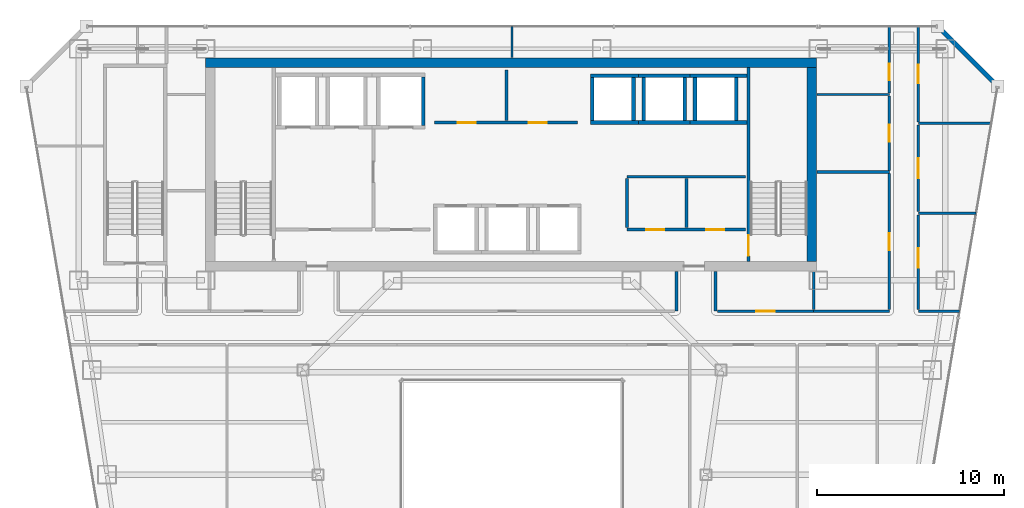
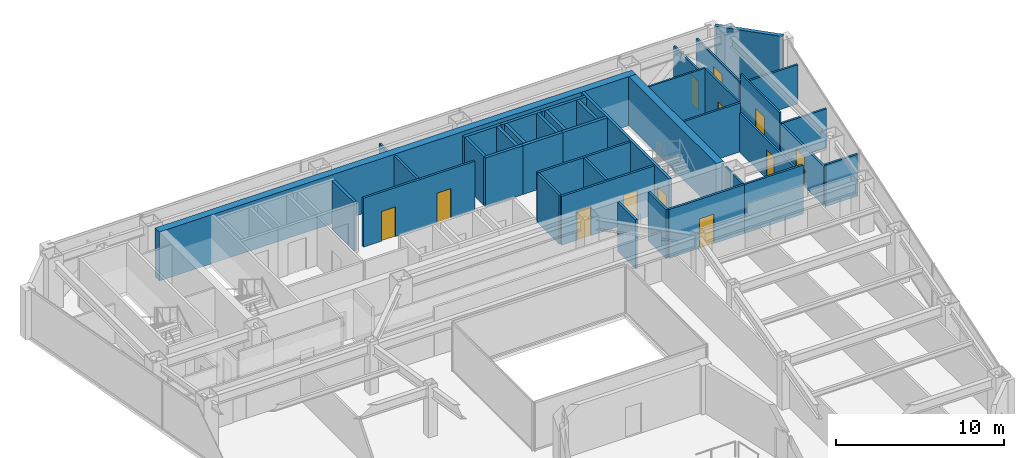
# One storey, part 26 of 31: 40 walls, 12 doors, 12 openings.
"""IFC4 building model written with IfcOpenShell, lengths in metres."""

from ifc_helpers import new_model, si_unit, direction, frame, frame_2d, origin, place, context, subcontext, project, spatial, rectangle, extrude, material, layer, layer_set, type_object, element, fill, save


model = new_model("IFC4")

# Units and contexts
model_context = context("Model", 3, precision=1e-05, world=origin(), true_north=direction((0.0, 1.0)))
body_context = subcontext(model_context, "Body", "Model", "MODEL_VIEW")
ifc_project = project(units=[si_unit("LENGTHUNIT", "METRE"), si_unit("AREAUNIT", "SQUARE_METRE"), si_unit("VOLUMEUNIT", "CUBIC_METRE"), si_unit("PLANEANGLEUNIT", "RADIAN"), si_unit("MASSUNIT", "GRAM", prefix="KILO")], contexts=[model_context])

# Site, building, storey
site_placement = place(None, origin())
site = spatial("IfcSite", under=ifc_project, at=site_placement, CompositionType="ELEMENT")
building_placement = place(site_placement, origin())
building = spatial("IfcBuilding", under=site, at=building_placement, Name="Saevonmaru Cultural Tower", CompositionType="ELEMENT")
storey_placement = place(building_placement, frame((0.0, 0.0, 167.60009765625)))
storey = spatial("IfcBuildingStorey", under=building, at=storey_placement, Name="L37", CompositionType="ELEMENT", Elevation=167.60009765625)

# Walls
ifc_material_1 = material(Name="Concrete C60/75", Category="concrete")
ifc_layer_1 = layer(ifc_material_1, 0.5, Name="Concrete C60/75")
ifc_layer_set_1 = layer_set([ifc_layer_1], Name="Concrete C60/75")
wall_type_1 = type_object("IfcWallType", Name="WL-CORE-500", PredefinedType="SHEAR", material=ifc_layer_set_1)
wall_1_placement = place(storey_placement, frame((13.60009765625, 54.050048828125, 0.0), z_axis=(0.0, 0.0, 1.0), x_axis=(1.0, 0.0, 0.0)))
element("IfcWall", 1, at=wall_1_placement, inside=storey, type_object=wall_type_1, Name="L37 Tower RC core shear wall N", PredefinedType="SHEAR", context=body_context, shape_type="SweptSolid", body=[
    extrude(rectangle(XDim=32.699951171875, YDim=0.5, at=frame_2d((16.35009765625, 0.0))), origin(), (0.0, 0.0, 1.0), 3.5498046875),
])
wall_2_placement = place(storey_placement, frame((46.050048828125, 43.39990234375, 0.0), z_axis=(0.0, 0.0, 1.0), x_axis=(0.0, 1.0, 0.0)))
element("IfcWall", 2, at=wall_2_placement, inside=storey, type_object=wall_type_1, Name="L37 Tower RC core shear wall E", PredefinedType="SHEAR", context=body_context, shape_type="SweptSolid", body=[
    extrude(rectangle(XDim=10.400146484375, YDim=0.5, at=frame_2d((5.2001953125, 0.0))), origin(), (0.0, 0.0, 1.0), 3.5498046875),
])

# Wall, openings, doors
ifc_material_2 = material(Name="Gypsum Fireboard Partition", Category="gypsum")
ifc_layer_2 = layer(ifc_material_2, 0.14990234375, Name="Gypsum Fireboard Partition")
ifc_layer_set_2 = layer_set([ifc_layer_2], Name="Gypsum Fireboard Partition")
wall_type_2 = type_object("IfcWallType", Name="WL-CORE-PART-150", PredefinedType="PARTITIONING", material=ifc_layer_set_2)
wall_3_placement = place(storey_placement, frame((36.14990234375, 45.1201171875, 0.0), z_axis=(0.0, 0.0, 1.0), x_axis=(1.0, 0.0, 0.0)))
wall_3 = element("IfcWall", 3, at=wall_3_placement, inside=storey, type_object=wall_type_2, Name="L37 Core Cluster South Wall", PredefinedType="PARTITIONING", context=body_context, shape_type="SweptSolid", body=[
    extrude(rectangle(XDim=6.35009765625, YDim=0.14990234375, at=frame_2d((3.175048828125, 0.0))), origin(), (0.0, 0.0, 1.0), 3.5498046875),
])
opening_1_placement = place(wall_3_placement, frame((1.050048828125, 0.0, 0.0)))
opening_1 = element("IfcOpeningElement", 4, at=opening_1_placement, cuts=wall_3, Name="Opening FD-4", PredefinedType="OPENING", context=body_context, shape_type="SweptSolid", body=[
    extrude(rectangle(XDim=0.949951171875, YDim=2.14990234375, at=frame_2d((0.47509765625, 1.074951171875))), frame((0.0, 0.0849609375, 0.0), z_axis=(0.0, -1.0, 0.0), x_axis=(1.0, 0.0, 0.0)), (0.0, 0.0, 1.0), 0.169921875),
])
opening_2_placement = place(wall_3_placement, frame((4.25, 0.0, 0.0)))
opening_2 = element("IfcOpeningElement", 5, at=opening_2_placement, cuts=wall_3, Name="Opening FD-4", PredefinedType="OPENING", context=body_context, shape_type="SweptSolid", body=[
    extrude(rectangle(XDim=0.949951171875, YDim=2.14990234375, at=frame_2d((0.47509765625, 1.074951171875))), frame((0.0, 0.0849609375, 0.0), z_axis=(0.0, -1.0, 0.0), x_axis=(1.0, 0.0, 0.0)), (0.0, 0.0, 1.0), 0.169921875),
])
ifc_material_3 = material(Name="Satin Bronze Anodised Aluminium", Category="aluminium")
door_type_1 = type_object("IfcDoorType", Name="DR-FD60-950", OperationType="SINGLE_SWING_LEFT", PredefinedType="DOOR", material=ifc_material_3)
door_1_placement = place(opening_1_placement, origin())
door_1 = element("IfcDoor", 6, at=door_1_placement, inside=storey, type_object=door_type_1, Name="L37 BMS Control Room Door", OperationType="SINGLE_SWING_LEFT", OverallHeight=2.14990234375, OverallWidth=0.949951171875, PredefinedType="DOOR", context=body_context, shape_type="SweptSolid", body=[
    extrude(rectangle(XDim=0.949951171875, YDim=2.14990234375, at=frame_2d((0.47509765625, 1.074951171875))), frame((0.0, 0.02490234375, 0.0), z_axis=(0.0, -1.0, 0.0), x_axis=(1.0, 0.0, 0.0)), (0.0, 0.0, 1.0), 0.050048828125),
])
fill(opening_1, door_1)
door_2_placement = place(opening_2_placement, origin())
door_2 = element("IfcDoor", 7, at=door_2_placement, inside=storey, type_object=door_type_1, Name="L37 Fibre Node Plant Door", OperationType="SINGLE_SWING_LEFT", OverallHeight=2.14990234375, OverallWidth=0.949951171875, PredefinedType="DOOR", context=body_context, shape_type="SweptSolid", body=[
    extrude(rectangle(XDim=0.949951171875, YDim=2.14990234375, at=frame_2d((0.47509765625, 1.074951171875))), frame((0.0, 0.02490234375, 0.0), z_axis=(0.0, -1.0, 0.0), x_axis=(1.0, 0.0, 0.0)), (0.0, 0.0, 1.0), 0.050048828125),
])
fill(opening_2, door_2)

# Walls
wall_4_placement = place(storey_placement, frame((36.14990234375, 47.949951171875, 0.0), z_axis=(0.0, 0.0, 1.0), x_axis=(1.0, 0.0, 0.0)))
element("IfcWall", 8, at=wall_4_placement, inside=storey, type_object=wall_type_2, Name="L37 Core Cluster North Wall", PredefinedType="PARTITIONING", context=body_context, shape_type="SweptSolid", body=[
    extrude(rectangle(XDim=6.35009765625, YDim=0.14990234375, at=frame_2d((3.175048828125, 0.0))), origin(), (0.0, 0.0, 1.0), 3.5498046875),
])
for number, where, z_axis, x_axis, name in (
    (9, (36.14990234375, 45.219970703125, 0.0), (0.0, 0.0, 1.0), (0.0, 1.0, 0.0), "L37 Core Cluster West Wall"),
    (10, (39.35009765625, 45.219970703125, 0.0), (0.0, 0.0, 1.0), (0.0, 1.0, 0.0), "L37 Core Cluster Inner Split"),
):
    element("IfcWall", number, at=place(storey_placement, frame(where, z_axis=z_axis, x_axis=x_axis)), inside=storey, type_object=wall_type_2, Name=name, PredefinedType="PARTITIONING", context=body_context, shape_type="SweptSolid", body=[
        extrude(rectangle(XDim=2.630126953125, YDim=0.14990234375, at=frame_2d((1.31494140625, 0.0))), origin(), (0.0, 0.0, 1.0), 3.5498046875),
    ])

# Wall, openings, doors
wall_5_placement = place(storey_placement, frame((25.85009765625, 50.85009765625, 0.0), z_axis=(0.0, 0.0, 1.0), x_axis=(1.0, 0.0, 0.0)))
wall_5 = element("IfcWall", 11, at=wall_5_placement, inside=storey, type_object=wall_type_2, Name="L37 Reclaimed Core Room South Wall", PredefinedType="PARTITIONING", context=body_context, shape_type="SweptSolid", body=[
    extrude(rectangle(XDim=7.64990234375, YDim=0.14990234375, at=frame_2d((3.824951171875, 0.0))), origin(), (0.0, 0.0, 1.0), 3.5498046875),
])
opening_3_placement = place(wall_5_placement, frame((1.25, 0.0, 0.0)))
opening_3 = element("IfcOpeningElement", 12, at=opening_3_placement, cuts=wall_5, Name="Opening FD-4", PredefinedType="OPENING", context=body_context, shape_type="SweptSolid", body=[
    extrude(rectangle(XDim=0.949951171875, YDim=2.14990234375, at=frame_2d((0.47509765625, 1.074951171875))), frame((0.0, 0.0849609375, 0.0), z_axis=(0.0, -1.0, 0.0), x_axis=(1.0, 0.0, 0.0)), (0.0, 0.0, 1.0), 0.169921875),
])
opening_4_placement = place(wall_5_placement, frame((5.050048828125, 0.0, 0.0)))
opening_4 = element("IfcOpeningElement", 13, at=opening_4_placement, cuts=wall_5, Name="Opening FD-4", PredefinedType="OPENING", context=body_context, shape_type="SweptSolid", body=[
    extrude(rectangle(XDim=0.949951171875, YDim=2.14990234375, at=frame_2d((0.47509765625, 1.074951171875))), frame((0.0, 0.0849609375, 0.0), z_axis=(0.0, -1.0, 0.0), x_axis=(1.0, 0.0, 0.0)), (0.0, 0.0, 1.0), 0.169921875),
])
door_3_placement = place(opening_3_placement, origin())
door_3 = element("IfcDoor", 14, at=door_3_placement, inside=storey, type_object=door_type_1, Name="L37 Reclaimed Archive Vault Door", OperationType="SINGLE_SWING_LEFT", OverallHeight=2.14990234375, OverallWidth=0.949951171875, PredefinedType="DOOR", context=body_context, shape_type="SweptSolid", body=[
    extrude(rectangle(XDim=0.949951171875, YDim=2.14990234375, at=frame_2d((0.47509765625, 1.074951171875))), frame((0.0, 0.02490234375, 0.0), z_axis=(0.0, -1.0, 0.0), x_axis=(1.0, 0.0, 0.0)), (0.0, 0.0, 1.0), 0.050048828125),
])
fill(opening_3, door_3)
door_4_placement = place(opening_4_placement, origin())
door_4 = element("IfcDoor", 15, at=door_4_placement, inside=storey, type_object=door_type_1, Name="L37 Reclaimed Conservation Storage Door", OperationType="SINGLE_SWING_LEFT", OverallHeight=2.14990234375, OverallWidth=0.949951171875, PredefinedType="DOOR", context=body_context, shape_type="SweptSolid", body=[
    extrude(rectangle(XDim=0.949951171875, YDim=2.14990234375, at=frame_2d((0.47509765625, 1.074951171875))), frame((0.0, 0.02490234375, 0.0), z_axis=(0.0, -1.0, 0.0), x_axis=(1.0, 0.0, 0.0)), (0.0, 0.0, 1.0), 0.050048828125),
])
fill(opening_4, door_4)

# Walls
wall_6_placement = place(storey_placement, frame((29.699951171875, 50.949951171875, 0.0), z_axis=(0.0, 0.0, 1.0), x_axis=(0.0, 1.0, 0.0)))
element("IfcWall", 16, at=wall_6_placement, inside=storey, type_object=wall_type_2, Name="L37 Reclaimed Vault Split", PredefinedType="PARTITIONING", context=body_context, shape_type="SweptSolid", body=[
    extrude(rectangle(XDim=2.699951171875, YDim=0.14990234375, at=frame_2d((1.35009765625, 0.0))), origin(), (0.0, 0.0, 1.0), 3.5498046875),
])
ifc_material_4 = material(Name="Granite-Clad Precast Concrete C40/50", Category="masonry")
ifc_layer_3 = layer(ifc_material_4, 0.260009765625, Name="Granite-Clad Precast Concrete C40/50")
ifc_layer_set_3 = layer_set([ifc_layer_3], Name="Granite-Clad Precast Concrete C40/50")
wall_type_3 = type_object("IfcWallType", Name="WL-EXT-SPANDREL-260", PredefinedType="STANDARD", material=ifc_layer_set_3)
wall_7_placement = place(storey_placement, frame((55.886962890625, 52.9130859375, 0.0), z_axis=(0.0, 0.0, 1.0), x_axis=(-0.707106781187, 0.707106781187, 0.0)))
element("IfcWall", 17, at=wall_7_placement, inside=storey, type_object=wall_type_3, Name="L37 Chamfer Corner Spandrel Wall E9", PredefinedType="STANDARD", context=body_context, shape_type="SweptSolid", body=[
    extrude(rectangle(XDim=4.205810546875, YDim=0.260009765625, at=frame_2d((2.10302734375, 0.0))), origin(), (0.0, 0.0, 1.0), 3.5498046875),
])

# Wall, opening, door
ifc_layer_4 = layer(ifc_material_2, 0.14990234375, Name="Gypsum Fireboard Partition")
ifc_layer_set_4 = layer_set([ifc_layer_4], Name="Gypsum Fireboard Partition")
wall_type_4 = type_object("IfcWallType", Name="WL-PART-FIRE-150", PredefinedType="PARTITIONING", material=ifc_layer_set_4)
wall_8_placement = place(storey_placement, frame((51.75, 40.83740234375, 0.0), z_axis=(0.0, 0.0, 1.0), x_axis=(0.0, 1.0, 0.0)))
wall_8 = element("IfcWall", 18, at=wall_8_placement, inside=storey, type_object=wall_type_4, Name="L37 Visual Arts Critique Gallery Corridor Wall", PredefinedType="PARTITIONING", context=body_context, shape_type="SweptSolid", body=[
    extrude(rectangle(XDim=5.0751953125, YDim=0.14990234375, at=frame_2d((2.53759765625, 0.0))), origin(), (0.0, 0.0, 1.0), 2.8349609375),
])
opening_5_placement = place(wall_8_placement, frame((2.23291015625, 0.0, 0.0)))
opening_5 = element("IfcOpeningElement", 19, at=opening_5_placement, cuts=wall_8, Name="Opening ID-1", PredefinedType="OPENING", context=body_context, shape_type="SweptSolid", body=[
    extrude(rectangle(XDim=1.050048828125, YDim=2.14990234375, at=frame_2d((0.52490234375, 1.074951171875))), frame((0.0, 0.0849609375, 0.0), z_axis=(0.0, -1.0, 0.0), x_axis=(1.0, 0.0, 0.0)), (0.0, 0.0, 1.0), 0.169921875),
])
door_type_2 = type_object("IfcDoorType", Name="DR-INT-1050", OperationType="SINGLE_SWING_LEFT", PredefinedType="DOOR", material=ifc_material_3)
door_5_placement = place(opening_5_placement, origin())
door_5 = element("IfcDoor", 20, at=door_5_placement, inside=storey, type_object=door_type_2, Name="L37 Visual Arts Critique Gallery Door", OperationType="SINGLE_SWING_LEFT", OverallHeight=2.14990234375, OverallWidth=1.050048828125, PredefinedType="DOOR", context=body_context, shape_type="SweptSolid", body=[
    extrude(rectangle(XDim=1.050048828125, YDim=2.14990234375, at=frame_2d((0.52490234375, 1.074951171875))), frame((0.0, 0.02490234375, 0.0), z_axis=(0.0, -1.0, 0.0), x_axis=(1.0, 0.0, 0.0)), (0.0, 0.0, 1.0), 0.050048828125),
])
fill(opening_5, door_5)

# Walls
for number, where, z_axis, x_axis, name in (
    (21, (38.800048828125, 40.75, 0.0), (0.0, 0.0, 1.0), (0.0, 1.0, 0.0), "L37 Core Portal Side Wall E1"),
    (22, (40.89990234375, 40.75, 0.0), (0.0, 0.0, 1.0), (0.0, 1.0, 0.0), "L37 Core Portal Side Wall E2"),
):
    element("IfcWall", number, at=place(storey_placement, frame(where, z_axis=z_axis, x_axis=x_axis)), inside=storey, type_object=wall_type_4, Name=name, PredefinedType="PARTITIONING", context=body_context, shape_type="SweptSolid", body=[
        extrude(rectangle(XDim=2.1298828125, YDim=0.14990234375, at=frame_2d((1.06494140625, 0.0))), origin(), (0.0, 0.0, 1.0), 3.5498046875),
    ])

# Wall, opening, door
wall_9_placement = place(storey_placement, frame((40.9951171875, 40.75, 0.0), z_axis=(0.0, 0.0, 1.0), x_axis=(1.0, 0.0, 0.0)))
wall_9 = element("IfcWall", 23, at=wall_9_placement, inside=storey, type_object=wall_type_4, Name="L37 Media Screening Auditorium Corridor Wall", PredefinedType="PARTITIONING", context=body_context, shape_type="SweptSolid", body=[
    extrude(rectangle(XDim=5.15478515625, YDim=0.14990234375, at=frame_2d((2.577392578125, 0.0))), origin(), (0.0, 0.0, 1.0), 3.5498046875),
])
opening_6_placement = place(wall_9_placement, frame((2.077880859375, 0.0, 0.0)))
opening_6 = element("IfcOpeningElement", 24, at=opening_6_placement, cuts=wall_9, Name="Opening ID-1B", PredefinedType="OPENING", context=body_context, shape_type="SweptSolid", body=[
    extrude(rectangle(XDim=1.0, YDim=2.14990234375, at=frame_2d((0.5, 1.074951171875))), frame((0.0, 0.0849609375, 0.0), z_axis=(0.0, -1.0, 0.0), x_axis=(1.0, 0.0, 0.0)), (0.0, 0.0, 1.0), 0.169921875),
])
ifc_material_5 = material(Name="Acoustic Stained Oak Timber", Category="wood")
door_type_3 = type_object("IfcDoorType", Name="DR-INT-1000", OperationType="SINGLE_SWING_RIGHT", PredefinedType="DOOR", material=ifc_material_5)
door_6_placement = place(opening_6_placement, origin())
door_6 = element("IfcDoor", 25, at=door_6_placement, inside=storey, type_object=door_type_3, Name="L37 Media Screening Auditorium Door", OperationType="SINGLE_SWING_RIGHT", OverallHeight=2.14990234375, OverallWidth=1.0, PredefinedType="DOOR", context=body_context, shape_type="SweptSolid", body=[
    extrude(rectangle(XDim=1.0, YDim=2.14990234375, at=frame_2d((0.5, 1.074951171875))), frame((0.0, 0.02490234375, 0.0), z_axis=(0.0, -1.0, 0.0), x_axis=(1.0, 0.0, 0.0)), (0.0, 0.0, 1.0), 0.050048828125),
])
fill(opening_6, door_6)

# Walls
ifc_layer_5 = layer(ifc_material_2, 0.1201171875, Name="Gypsum Fireboard Partition")
ifc_layer_set_5 = layer_set([ifc_layer_5], Name="Gypsum Fireboard Partition")
wall_type_5 = type_object("IfcWallType", Name="WL-PART-GYP-120", PredefinedType="PARTITIONING", material=ifc_layer_set_5)
wall_10_placement = place(storey_placement, frame((46.320068359375, 52.35009765625, 0.0), z_axis=(0.0, 0.0, 1.0), x_axis=(1.0, 0.0, 0.0)))
element("IfcWall", 26, at=wall_10_placement, inside=storey, type_object=wall_type_5, Name="L37 North-East Panorama South Wall", PredefinedType="PARTITIONING", context=body_context, shape_type="SweptSolid", body=[
    extrude(rectangle(XDim=3.8798828125, YDim=0.1201171875, at=frame_2d((1.93994140625, 0.0))), origin(), (0.0, 0.0, 1.0), 3.5498046875),
])
wall_11_placement = place(storey_placement, frame((30.0, 54.320068359375, 0.0), z_axis=(0.0, 0.0, 1.0), x_axis=(0.0, 1.0, 0.0)))
element("IfcWall", 27, at=wall_11_placement, inside=storey, type_object=wall_type_5, Name="L37 North Panorama Center Split", PredefinedType="PARTITIONING", context=body_context, shape_type="SweptSolid", body=[
    extrude(rectangle(XDim=1.675048828125, YDim=0.1201171875, at=frame_2d((0.83740234375, 0.0))), origin(), (0.0, 0.0, 1.0), 2.934814453125),
])

# Wall, opening, door
wall_12_placement = place(storey_placement, frame((50.199951171875, 48.2900390625, 0.0), z_axis=(0.0, 0.0, 1.0), x_axis=(0.0, 1.0, 0.0)))
wall_12 = element("IfcWall", 28, at=wall_12_placement, inside=storey, type_object=wall_type_5, Name="L37 Digital Media Classroom Corridor Wall", PredefinedType="PARTITIONING", context=body_context, shape_type="SweptSolid", body=[
    extrude(rectangle(XDim=3.97998046875, YDim=0.1201171875, at=frame_2d((1.989990234375, 0.0))), origin(), (0.0, 0.0, 1.0), 3.5498046875),
])
opening_7_placement = place(wall_12_placement, frame((1.5400390625, 0.0, 0.0)))
opening_7 = element("IfcOpeningElement", 29, at=opening_7_placement, cuts=wall_12, Name="Opening ID-2", PredefinedType="OPENING", context=body_context, shape_type="SweptSolid", body=[
    extrude(rectangle(XDim=0.89990234375, YDim=2.10009765625, at=frame_2d((0.449951171875, 1.050048828125))), frame((0.0, 0.070068359375, 0.0), z_axis=(0.0, -1.0, 0.0), x_axis=(1.0, 0.0, 0.0)), (0.0, 0.0, 1.0), 0.14013671875),
])
door_type_4 = type_object("IfcDoorType", Name="DR-INT-900", OperationType="SINGLE_SWING_RIGHT", PredefinedType="DOOR", material=ifc_material_5)
door_7_placement = place(opening_7_placement, origin())
door_7 = element("IfcDoor", 30, at=door_7_placement, inside=storey, type_object=door_type_4, Name="L37 Digital Media Classroom Door", OperationType="SINGLE_SWING_LEFT", OverallHeight=2.10009765625, OverallWidth=0.89990234375, PredefinedType="DOOR", context=body_context, shape_type="SweptSolid", body=[
    extrude(rectangle(XDim=0.89990234375, YDim=2.10009765625, at=frame_2d((0.449951171875, 1.050048828125))), frame((0.0, 0.02490234375, 0.0), z_axis=(0.0, -1.0, 0.0), x_axis=(1.0, 0.0, 0.0)), (0.0, 0.0, 1.0), 0.050048828125),
])
fill(opening_7, door_7)

wall_13_placement = place(storey_placement, frame((50.199951171875, 52.429931640625, 0.0), z_axis=(0.0, 0.0, 1.0), x_axis=(0.0, 1.0, 0.0)))
wall_13 = element("IfcWall", 31, at=wall_13_placement, inside=storey, type_object=wall_type_5, Name="L37 Design Seminar Classroom Corridor Wall", PredefinedType="PARTITIONING", context=body_context, shape_type="SweptSolid", body=[
    extrude(rectangle(XDim=3.565185546875, YDim=0.1201171875, at=frame_2d((1.78271484375, 0.0))), origin(), (0.0, 0.0, 1.0), 2.934814453125),
])
opening_8_placement = place(wall_13_placement, frame((0.672119140625, 0.0, 0.0)))
opening_8 = element("IfcOpeningElement", 32, at=opening_8_placement, cuts=wall_13, Name="Opening ID-2", PredefinedType="OPENING", context=body_context, shape_type="SweptSolid", body=[
    extrude(rectangle(XDim=0.89990234375, YDim=2.10009765625, at=frame_2d((0.449951171875, 1.050048828125))), frame((0.0, 0.070068359375, 0.0), z_axis=(0.0, -1.0, 0.0), x_axis=(1.0, 0.0, 0.0)), (0.0, 0.0, 1.0), 0.14013671875),
])
door_8_placement = place(opening_8_placement, origin())
door_8 = element("IfcDoor", 33, at=door_8_placement, inside=storey, type_object=door_type_4, Name="L37 Design Seminar Classroom Door", OperationType="SINGLE_SWING_RIGHT", OverallHeight=2.10009765625, OverallWidth=0.89990234375, PredefinedType="DOOR", context=body_context, shape_type="SweptSolid", body=[
    extrude(rectangle(XDim=0.89990234375, YDim=2.10009765625, at=frame_2d((0.449951171875, 1.050048828125))), frame((0.0, 0.02490234375, 0.0), z_axis=(0.0, -1.0, 0.0), x_axis=(1.0, 0.0, 0.0)), (0.0, 0.0, 1.0), 0.050048828125),
])
fill(opening_8, door_8)

wall_14_placement = place(storey_placement, frame((51.75, 46.08740234375, 0.0), z_axis=(0.0, 0.0, 1.0), x_axis=(0.0, 1.0, 0.0)))
wall_14 = element("IfcWall", 34, at=wall_14_placement, inside=storey, type_object=wall_type_5, Name="L37 Cartographic Study Library Corridor Wall", PredefinedType="PARTITIONING", context=body_context, shape_type="SweptSolid", body=[
    extrude(rectangle(XDim=4.625, YDim=0.1201171875, at=frame_2d((2.3125, 0.0))), origin(), (0.0, 0.0, 1.0), 3.5498046875),
])
opening_9_placement = place(wall_14_placement, frame((1.7880859375, 0.0, 0.0)))
opening_9 = element("IfcOpeningElement", 35, at=opening_9_placement, cuts=wall_14, Name="Opening ID-1", PredefinedType="OPENING", context=body_context, shape_type="SweptSolid", body=[
    extrude(rectangle(XDim=1.050048828125, YDim=2.14990234375, at=frame_2d((0.52490234375, 1.074951171875))), frame((0.0, 0.070068359375, 0.0), z_axis=(0.0, -1.0, 0.0), x_axis=(1.0, 0.0, 0.0)), (0.0, 0.0, 1.0), 0.14013671875),
])
door_9_placement = place(opening_9_placement, origin())
door_9 = element("IfcDoor", 36, at=door_9_placement, inside=storey, type_object=door_type_2, Name="L37 Cartographic Study Library Door", OperationType="SINGLE_SWING_RIGHT", OverallHeight=2.14990234375, OverallWidth=1.050048828125, PredefinedType="DOOR", context=body_context, shape_type="SweptSolid", body=[
    extrude(rectangle(XDim=1.050048828125, YDim=2.14990234375, at=frame_2d((0.52490234375, 1.074951171875))), frame((0.0, 0.02490234375, 0.0), z_axis=(0.0, -1.0, 0.0), x_axis=(1.0, 0.0, 0.0)), (0.0, 0.0, 1.0), 0.050048828125),
])
fill(opening_9, door_9)

wall_15_placement = place(storey_placement, frame((51.75, 50.887451171875, 0.0), z_axis=(0.0, 0.0, 1.0), x_axis=(0.0, 1.0, 0.0)))
wall_15 = element("IfcWall", 37, at=wall_15_placement, inside=storey, type_object=wall_type_5, Name="L37 Panoramic Salon Restaurant Corridor Wall", PredefinedType="PARTITIONING", context=body_context, shape_type="SweptSolid", body=[
    extrude(rectangle(XDim=5.107666015625, YDim=0.1201171875, at=frame_2d((2.5537109375, 0.0))), origin(), (0.0, 0.0, 1.0), 2.934814453125),
])
opening_10_placement = place(wall_15_placement, frame((2.053955078125, 0.0, 0.0)))
opening_10 = element("IfcOpeningElement", 38, at=opening_10_placement, cuts=wall_15, Name="Opening ID-1B", PredefinedType="OPENING", context=body_context, shape_type="SweptSolid", body=[
    extrude(rectangle(XDim=1.0, YDim=2.14990234375, at=frame_2d((0.5, 1.074951171875))), frame((0.0, 0.070068359375, 0.0), z_axis=(0.0, -1.0, 0.0), x_axis=(1.0, 0.0, 0.0)), (0.0, 0.0, 1.0), 0.14013671875),
])
door_10_placement = place(opening_10_placement, origin())
door_10 = element("IfcDoor", 39, at=door_10_placement, inside=storey, type_object=door_type_3, Name="L37 Panoramic Salon Restaurant Door", OperationType="SINGLE_SWING_LEFT", OverallHeight=2.14990234375, OverallWidth=1.0, PredefinedType="DOOR", context=body_context, shape_type="SweptSolid", body=[
    extrude(rectangle(XDim=1.0, YDim=2.14990234375, at=frame_2d((0.5, 1.074951171875))), frame((0.0, 0.02490234375, 0.0), z_axis=(0.0, -1.0, 0.0), x_axis=(1.0, 0.0, 0.0)), (0.0, 0.0, 1.0), 0.050048828125),
])
fill(opening_10, door_10)

# Walls
ifc_layer_6 = layer(ifc_material_2, 0.135009765625, Name="Gypsum Fireboard Partition")
ifc_layer_set_6 = layer_set([ifc_layer_6], Name="Gypsum Fireboard Partition")
wall_type_6 = type_object("IfcWallType", Name="WL-PART-GYP-135", PredefinedType="PARTITIONING", material=ifc_layer_set_6)
wall_16_placement = place(storey_placement, frame((51.75, 40.75, 0.0), z_axis=(0.0, 0.0, 1.0), x_axis=(1.0, 0.0, 0.0)))
element("IfcWall", 40, at=wall_16_placement, inside=storey, type_object=wall_type_6, Name="L37 NE Wing South Wall", PredefinedType="PARTITIONING", context=body_context, shape_type="SweptSolid", body=[
    extrude(rectangle(XDim=2.204833984375, YDim=0.135009765625, at=frame_2d((1.1025390625, 0.0))), origin(), (0.0, 0.0, 1.0), 3.034912109375),
])
wall_17_placement = place(storey_placement, frame((51.75, 46.0, 0.0), z_axis=(0.0, 0.0, 1.0), x_axis=(1.0, 0.0, 0.0)))
element("IfcWall", 41, at=wall_17_placement, inside=storey, type_object=wall_type_6, Name="L37 NE Studio Divider 1", PredefinedType="PARTITIONING", context=body_context, shape_type="SweptSolid", body=[
    extrude(rectangle(XDim=3.09375, YDim=0.135009765625, at=frame_2d((1.546875, 0.0))), origin(), (0.0, 0.0, 1.0), 2.8349609375),
])
wall_18_placement = place(storey_placement, frame((51.75, 50.800048828125, 0.0), z_axis=(0.0, 0.0, 1.0), x_axis=(1.0, 0.0, 0.0)))
element("IfcWall", 42, at=wall_18_placement, inside=storey, type_object=wall_type_6, Name="L37 NE Studio Divider 2", PredefinedType="PARTITIONING", context=body_context, shape_type="SweptSolid", body=[
    extrude(rectangle(XDim=3.90625, YDim=0.135009765625, at=frame_2d((1.953125, 0.0))), origin(), (0.0, 0.0, 1.0), 2.8349609375),
])
ifc_layer_7 = layer(ifc_material_2, 0.139892578125, Name="Gypsum Fireboard Partition")
ifc_layer_set_7 = layer_set([ifc_layer_7], Name="Gypsum Fireboard Partition")
wall_type_7 = type_object("IfcWallType", Name="WL-PART-WET-140", PredefinedType="PARTITIONING", material=ifc_layer_set_7)
wall_19_placement = place(storey_placement, frame((46.14990234375, 40.75, 0.0), z_axis=(0.0, 0.0, 1.0), x_axis=(1.0, 0.0, 0.0)))
element("IfcWall", 43, at=wall_19_placement, inside=storey, type_object=wall_type_7, Name="L37 Washroom South Wall", PredefinedType="PARTITIONING", context=body_context, shape_type="SweptSolid", body=[
    extrude(rectangle(XDim=4.050048828125, YDim=0.139892578125, at=frame_2d((2.02490234375, 0.0))), origin(), (0.0, 0.0, 1.0), 3.5498046875),
])
wall_20_placement = place(storey_placement, frame((46.14990234375, 40.840087890625, 0.0), z_axis=(0.0, 0.0, 1.0), x_axis=(0.0, 1.0, 0.0)))
element("IfcWall", 44, at=wall_20_placement, inside=storey, type_object=wall_type_7, Name="L37 Washroom South-West Return", PredefinedType="PARTITIONING", context=body_context, shape_type="SweptSolid", body=[
    extrude(rectangle(XDim=2.039794921875, YDim=0.139892578125, at=frame_2d((1.02001953125, 0.0))), origin(), (0.0, 0.0, 1.0), 3.5498046875),
])
wall_21_placement = place(storey_placement, frame((46.320068359375, 48.199951171875, 0.0), z_axis=(0.0, 0.0, 1.0), x_axis=(1.0, 0.0, 0.0)))
element("IfcWall", 45, at=wall_21_placement, inside=storey, type_object=wall_type_7, Name="L37 Washroom North Wall", PredefinedType="PARTITIONING", context=body_context, shape_type="SweptSolid", body=[
    extrude(rectangle(XDim=3.8798828125, YDim=0.139892578125, at=frame_2d((1.93994140625, 0.0))), origin(), (0.0, 0.0, 1.0), 3.5498046875),
])

# Wall, opening, door
wall_22_placement = place(storey_placement, frame((50.199951171875, 40.840087890625, 0.0), z_axis=(0.0, 0.0, 1.0), x_axis=(0.0, 1.0, 0.0)))
wall_22 = element("IfcWall", 46, at=wall_22_placement, inside=storey, type_object=wall_type_7, Name="L37 Washroom Corridor Wall", PredefinedType="PARTITIONING", context=body_context, shape_type="SweptSolid", body=[
    extrude(rectangle(XDim=7.27001953125, YDim=0.139892578125, at=frame_2d((3.635009765625, 0.0))), origin(), (0.0, 0.0, 1.0), 2.8349609375),
])
opening_11_placement = place(wall_22_placement, frame((3.18505859375, 0.0, 0.0)))
opening_11 = element("IfcOpeningElement", 47, at=opening_11_placement, cuts=wall_22, Name="Opening ID-2", PredefinedType="OPENING", context=body_context, shape_type="SweptSolid", body=[
    extrude(rectangle(XDim=0.89990234375, YDim=2.10009765625, at=frame_2d((0.449951171875, 1.050048828125))), frame((0.0, 0.080078125, 0.0), z_axis=(0.0, -1.0, 0.0), x_axis=(1.0, 0.0, 0.0)), (0.0, 0.0, 1.0), 0.159912109375),
])
door_11_placement = place(opening_11_placement, origin())
door_11 = element("IfcDoor", 48, at=door_11_placement, inside=storey, type_object=door_type_4, Name="L37 Public Accessible Washrooms Door", OperationType="SINGLE_SWING_RIGHT", OverallHeight=2.10009765625, OverallWidth=0.89990234375, PredefinedType="DOOR", context=body_context, shape_type="SweptSolid", body=[
    extrude(rectangle(XDim=0.89990234375, YDim=2.10009765625, at=frame_2d((0.449951171875, 1.050048828125))), frame((0.0, 0.02490234375, 0.0), z_axis=(0.0, -1.0, 0.0), x_axis=(1.0, 0.0, 0.0)), (0.0, 0.0, 1.0), 0.050048828125),
])
fill(opening_11, door_11)

# Walls
ifc_material_6 = material(Name="Concrete C40/50", Category="concrete")
ifc_layer_8 = layer(ifc_material_6, 0.199951171875, Name="Concrete C40/50")
ifc_layer_set_8 = layer_set([ifc_layer_8], Name="Concrete C40/50")
wall_type_8 = type_object("IfcWallType", Name="WL-SHAFT-200", PredefinedType="SHEAR", material=ifc_layer_set_8)
wall_23_placement = place(storey_placement, frame((25.25, 50.699951171875, 0.0), z_axis=(0.0, 0.0, 1.0), x_axis=(0.0, 1.0, 0.0)))
element("IfcWall", 49, at=wall_23_placement, inside=storey, type_object=wall_type_8, Name="L37 Lift GL-1 Hoistway Wall E", PredefinedType="SHEAR", context=body_context, shape_type="SweptSolid", body=[
    extrude(rectangle(XDim=2.60009765625, YDim=0.199951171875, at=frame_2d((1.300048828125, 0.0))), origin(), (0.0, 0.0, 1.0), 3.5498046875),
])
for number, where, z_axis, x_axis, name in (
    (50, (34.199951171875, 50.85009765625, 0.0), (0.0, 0.0, 1.0), (1.0, 0.0, 0.0), "L37 Lift PL-H1 Hoistway Wall S"),
    (51, (34.199951171875, 53.35009765625, 0.0), (0.0, 0.0, 1.0), (1.0, 0.0, 0.0), "L37 Lift PL-H1 Hoistway Wall N"),
):
    element("IfcWall", number, at=place(storey_placement, frame(where, z_axis=z_axis, x_axis=x_axis)), inside=storey, type_object=wall_type_8, Name=name, PredefinedType="SHEAR", context=body_context, shape_type="SweptSolid", body=[
        extrude(rectangle(XDim=2.574951171875, YDim=0.199951171875, at=frame_2d((1.28759765625, 0.0))), origin(), (0.0, 0.0, 1.0), 3.5498046875),
    ])
for number, where, z_axis, x_axis, name in (
    (52, (34.300048828125, 50.949951171875, 0.0), (0.0, 0.0, 1.0), (0.0, 1.0, 0.0), "L37 Lift PL-H1 Hoistway Wall W"),
    (53, (36.5, 50.949951171875, 0.0), (0.0, 0.0, 1.0), (0.0, 1.0, 0.0), "L37 Lift PL-H1 Hoistway Wall E"),
):
    element("IfcWall", number, at=place(storey_placement, frame(where, z_axis=z_axis, x_axis=x_axis)), inside=storey, type_object=wall_type_8, Name=name, PredefinedType="SHEAR", context=body_context, shape_type="SweptSolid", body=[
        extrude(rectangle(XDim=2.300048828125, YDim=0.199951171875, at=frame_2d((1.14990234375, 0.0))), origin(), (0.0, 0.0, 1.0), 3.5498046875),
    ])
for number, where, z_axis, x_axis, name in (
    (54, (36.77490234375, 50.85009765625, 0.0), (0.0, 0.0, 1.0), (1.0, 0.0, 0.0), "L37 Lift PL-H2 Hoistway Wall S"),
    (55, (36.77490234375, 53.35009765625, 0.0), (0.0, 0.0, 1.0), (1.0, 0.0, 0.0), "L37 Lift PL-H2 Hoistway Wall N"),
):
    element("IfcWall", number, at=place(storey_placement, frame(where, z_axis=z_axis, x_axis=x_axis)), inside=storey, type_object=wall_type_8, Name=name, PredefinedType="SHEAR", context=body_context, shape_type="SweptSolid", body=[
        extrude(rectangle(XDim=2.75, YDim=0.199951171875, at=frame_2d((1.375, 0.0))), origin(), (0.0, 0.0, 1.0), 3.5498046875),
    ])
for number, where, z_axis, x_axis, name in (
    (56, (37.050048828125, 50.949951171875, 0.0), (0.0, 0.0, 1.0), (0.0, 1.0, 0.0), "L37 Lift PL-H2 Hoistway Wall W"),
    (57, (39.25, 50.949951171875, 0.0), (0.0, 0.0, 1.0), (0.0, 1.0, 0.0), "L37 Lift PL-H2 Hoistway Wall E"),
):
    element("IfcWall", number, at=place(storey_placement, frame(where, z_axis=z_axis, x_axis=x_axis)), inside=storey, type_object=wall_type_8, Name=name, PredefinedType="SHEAR", context=body_context, shape_type="SweptSolid", body=[
        extrude(rectangle(XDim=2.300048828125, YDim=0.199951171875, at=frame_2d((1.14990234375, 0.0))), origin(), (0.0, 0.0, 1.0), 3.5498046875),
    ])
for number, where, z_axis, x_axis, name in (
    (58, (39.52490234375, 50.85009765625, 0.0), (0.0, 0.0, 1.0), (1.0, 0.0, 0.0), "L37 Lift PL-H3 Hoistway Wall S"),
    (59, (39.52490234375, 53.35009765625, 0.0), (0.0, 0.0, 1.0), (1.0, 0.0, 0.0), "L37 Lift PL-H3 Hoistway Wall N"),
):
    element("IfcWall", number, at=place(storey_placement, frame(where, z_axis=z_axis, x_axis=x_axis)), inside=storey, type_object=wall_type_8, Name=name, PredefinedType="SHEAR", context=body_context, shape_type="SweptSolid", body=[
        extrude(rectangle(XDim=3.045166015625, YDim=0.199951171875, at=frame_2d((1.5224609375, 0.0))), origin(), (0.0, 0.0, 1.0), 3.5498046875),
    ])
for number, where, z_axis, x_axis, name in (
    (60, (39.800048828125, 50.949951171875, 0.0), (0.0, 0.0, 1.0), (0.0, 1.0, 0.0), "L37 Lift PL-H3 Hoistway Wall W"),
    (61, (42.0, 50.949951171875, 0.0), (0.0, 0.0, 1.0), (0.0, 1.0, 0.0), "L37 Lift PL-H3 Hoistway Wall E"),
):
    element("IfcWall", number, at=place(storey_placement, frame(where, z_axis=z_axis, x_axis=x_axis)), inside=storey, type_object=wall_type_8, Name=name, PredefinedType="SHEAR", context=body_context, shape_type="SweptSolid", body=[
        extrude(rectangle(XDim=2.300048828125, YDim=0.199951171875, at=frame_2d((1.14990234375, 0.0))), origin(), (0.0, 0.0, 1.0), 3.5498046875),
    ])

# Wall, opening, door
ifc_layer_9 = layer(ifc_material_6, 0.179931640625, Name="Concrete C40/50")
ifc_layer_set_9 = layer_set([ifc_layer_9], Name="Concrete C40/50")
wall_type_9 = type_object("IfcWallType", Name="WL-STSHAFT-180", PredefinedType="SHEAR", material=ifc_layer_set_9)
wall_24_placement = place(storey_placement, frame((42.659912109375, 53.800048828125, 0.0), z_axis=(0.0, 0.0, 1.0), x_axis=(0.0, -1.0, 0.0)))
wall_24 = element("IfcWall", 62, at=wall_24_placement, inside=storey, type_object=wall_type_9, Name="L37 Stair ST-2 Structural Shaft Wall 1", PredefinedType="SHEAR", context=body_context, shape_type="SweptSolid", body=[
    extrude(rectangle(XDim=10.400146484375, YDim=0.179931640625, at=frame_2d((5.2001953125, 0.0))), origin(), (0.0, 0.0, 1.0), 3.5498046875),
])
opening_12_placement = place(wall_24_placement, frame((8.989990234375, 0.0, 0.0)))
opening_12 = element("IfcOpeningElement", 63, at=opening_12_placement, cuts=wall_24, Name="Opening FD-2", PredefinedType="OPENING", context=body_context, shape_type="SweptSolid", body=[
    extrude(rectangle(XDim=1.10009765625, YDim=2.14990234375, at=frame_2d((0.550048828125, 1.074951171875))), frame((0.0, 0.10009765625, 0.0), z_axis=(0.0, -1.0, 0.0), x_axis=(1.0, 0.0, 0.0)), (0.0, 0.0, 1.0), 0.199951171875),
])
door_type_5 = type_object("IfcDoorType", Name="DR-FD60-1100", OperationType="SINGLE_SWING_LEFT", PredefinedType="DOOR", material=ifc_material_3)
door_12_placement = place(opening_12_placement, origin())
door_12 = element("IfcDoor", 64, at=door_12_placement, inside=storey, type_object=door_type_5, Name="L37 Protected Stair ST-2 Fire Door", OperationType="SINGLE_SWING_LEFT", OverallHeight=2.14990234375, OverallWidth=1.10009765625, PredefinedType="DOOR", context=body_context, shape_type="SweptSolid", body=[
    extrude(rectangle(XDim=1.10009765625, YDim=2.14990234375, at=frame_2d((0.550048828125, 1.074951171875))), frame((0.0, 0.02490234375, 0.0), z_axis=(0.0, -1.0, 0.0), x_axis=(1.0, 0.0, 0.0)), (0.0, 0.0, 1.0), 0.050048828125),
])
fill(opening_12, door_12)

save(model, "model.ifc")
